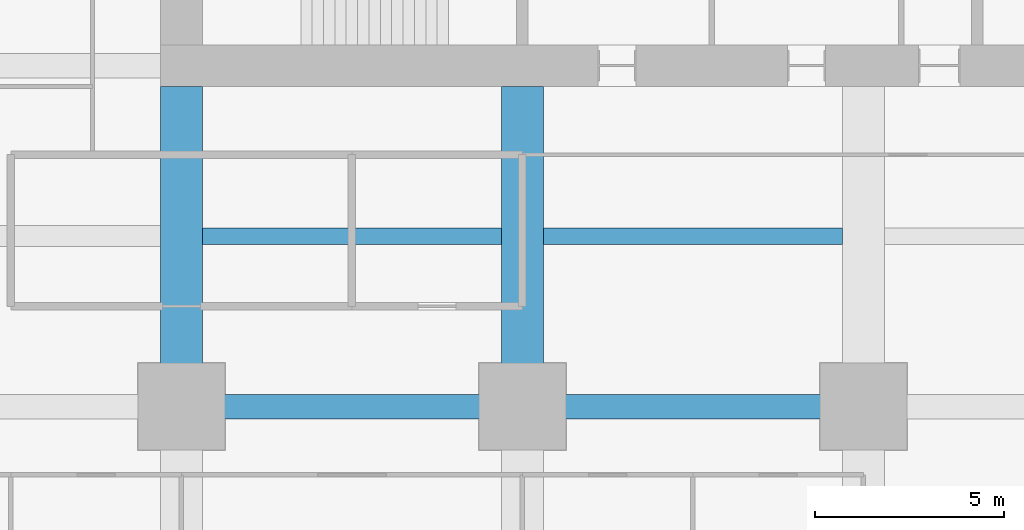
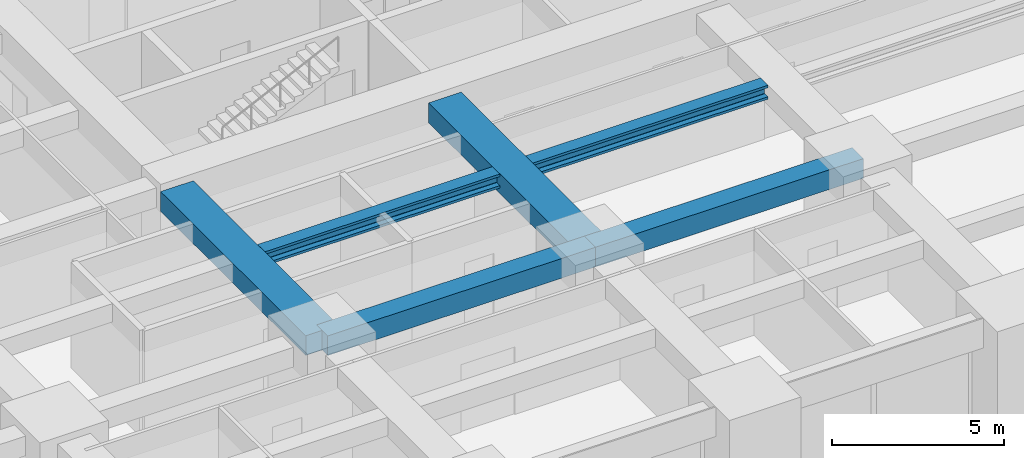
# One storey, part 8 of 44: 6 beams.
"""IFC4 building model written with IfcOpenShell, lengths in metres."""

from ifc_helpers import new_model, si_unit, direction, frame, origin, origin_2d, place, context, subcontext, project, spatial, rectangle, i_section, extrude, material, material_profile, profile_set, type_object, element, save


model = new_model("IFC4")

# Units and contexts
model_context = context("Model", 3, precision=1e-05, world=origin(), true_north=direction((0.0, 1.0)))
body_context = subcontext(model_context, "Body", "Model", "MODEL_VIEW")
ifc_project = project(units=[si_unit("LENGTHUNIT", "METRE"), si_unit("AREAUNIT", "SQUARE_METRE"), si_unit("VOLUMEUNIT", "CUBIC_METRE"), si_unit("PLANEANGLEUNIT", "RADIAN"), si_unit("MASSUNIT", "GRAM", prefix="KILO")], contexts=[model_context])

# Site, building, storey
site_placement = place(None, origin())
site = spatial("IfcSite", under=ifc_project, at=site_placement, CompositionType="ELEMENT")
building_placement = place(site_placement, origin())
building = spatial("IfcBuilding", under=site, at=building_placement, Name="Zorevar Civic Tower", CompositionType="ELEMENT")
storey_placement = place(building_placement, frame((0.0, 0.0, 35.800048828125)))
storey = spatial("IfcBuildingStorey", under=building, at=storey_placement, Name="L08", CompositionType="ELEMENT", Elevation=35.800048828125)

# Beams
ifc_material_1 = material(Name="Concrete C50/60", Category="concrete")
ifc_material_profile_1 = material_profile(ifc_material_1, rectangle(XDim=1.10009765625, YDim=0.699951171875, at=origin_2d()), Name="RC 1100x700")
ifc_profile_set_1 = profile_set([ifc_material_profile_1], Name="Concrete C50/60")
beam_type_1 = type_object("IfcBeamType", Name="Beam RC 1100x700", PredefinedType="BEAM", material=ifc_profile_set_1)
for number, where, z_axis, x_axis, name in (
    (1, (18.0, 9.0, 3.39990234375), (0.0, 1.0, 0.0), (-1.0, 0.0, 0.0), "Girder L09"),
    (2, (27.0, 9.0, 3.39990234375), (0.0, 1.0, 0.0), (-1.0, 0.0, 0.0), "Girder L09"),
):
    element("IfcBeam", number, at=place(storey_placement, frame(where, z_axis=z_axis, x_axis=x_axis)), inside=storey, type_object=beam_type_1, Name=name, PredefinedType="BEAM", context=body_context, shape_type="SweptSolid", body=[
        extrude(rectangle(XDim=1.10009765625, YDim=0.699951171875, at=origin_2d()), origin(), (0.0, 0.0, 1.0), 8.449951171875),
    ])
ifc_material_2 = material(Name="Concrete C50/60", Category="concrete")
ifc_material_profile_2 = material_profile(ifc_material_2, rectangle(XDim=0.64990234375, YDim=0.699951171875, at=origin_2d()), Name="RC 650x700")
ifc_profile_set_2 = profile_set([ifc_material_profile_2], Name="Concrete C50/60")
beam_type_2 = type_object("IfcBeamType", Name="Beam RC 650x700", PredefinedType="BEAM", material=ifc_profile_set_2)
for number, where, z_axis, x_axis, name in (
    (3, (18.0, 9.0, 3.39990234375), (1.0, 0.0, 0.0), (0.0, 1.0, 0.0), "Girder L09"),
    (4, (27.0, 9.0, 3.39990234375), (1.0, 0.0, 0.0), (0.0, 1.0, 0.0), "Girder L09"),
):
    element("IfcBeam", number, at=place(storey_placement, frame(where, z_axis=z_axis, x_axis=x_axis)), inside=storey, type_object=beam_type_2, Name=name, PredefinedType="BEAM", context=body_context, shape_type="SweptSolid", body=[
        extrude(rectangle(XDim=0.64990234375, YDim=0.699951171875, at=origin_2d()), origin(), (0.0, 0.0, 1.0), 9.0),
    ])
ifc_material_3 = material(Name="Steel S460M (HISTAR 460)", Category="steel")
ifc_material_profile_3 = material_profile(ifc_material_3, i_section(OverallWidth=0.431884765625, OverallDepth=0.498046875, WebThickness=0.0556640625, FlangeThickness=0.0888671875, FilletRadius=0.014892578125, at=origin_2d()), Name="HD 400x744")
ifc_profile_set_3 = profile_set([ifc_material_profile_3], Name="Steel S460M (HISTAR 460)")
beam_type_3 = type_object("IfcBeamType", Name="Core bay beam HD 400x744", PredefinedType="BEAM", material=ifc_profile_set_3)
for number, where, z_axis, x_axis, name in (
    (5, (18.550048828125, 13.5, 3.5009765625), (1.0, 0.0, 0.0), (0.0, 1.0, 0.0), "Secondary beam L09"),
    (6, (27.550048828125, 13.5, 3.5009765625), (1.0, 0.0, 0.0), (0.0, 1.0, 0.0), "Secondary beam L09"),
):
    element("IfcBeam", number, at=place(storey_placement, frame(where, z_axis=z_axis, x_axis=x_axis)), inside=storey, type_object=beam_type_3, Name=name, PredefinedType="BEAM", context=body_context, shape_type="SweptSolid", body=[
        extrude(i_section(OverallWidth=0.431884765625, OverallDepth=0.498046875, WebThickness=0.0556640625, FlangeThickness=0.0888671875, FilletRadius=0.014892578125, at=origin_2d()), origin(), (0.0, 0.0, 1.0), 7.89990234375),
    ])

save(model, "model.ifc")
